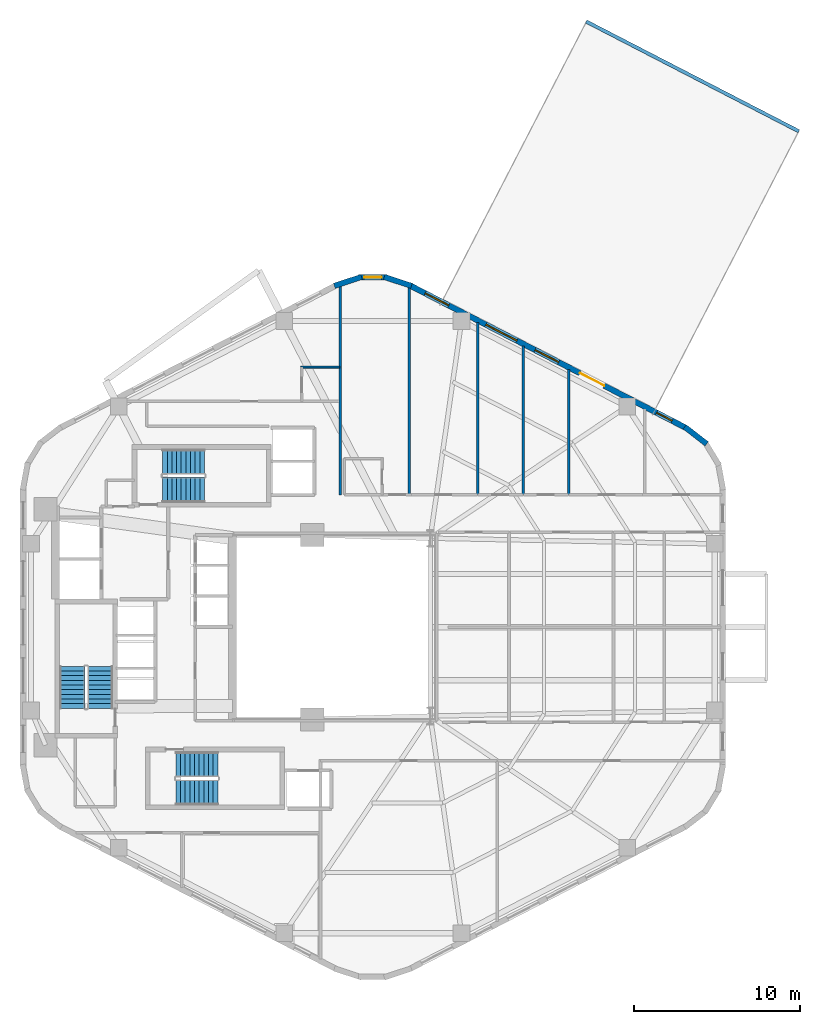
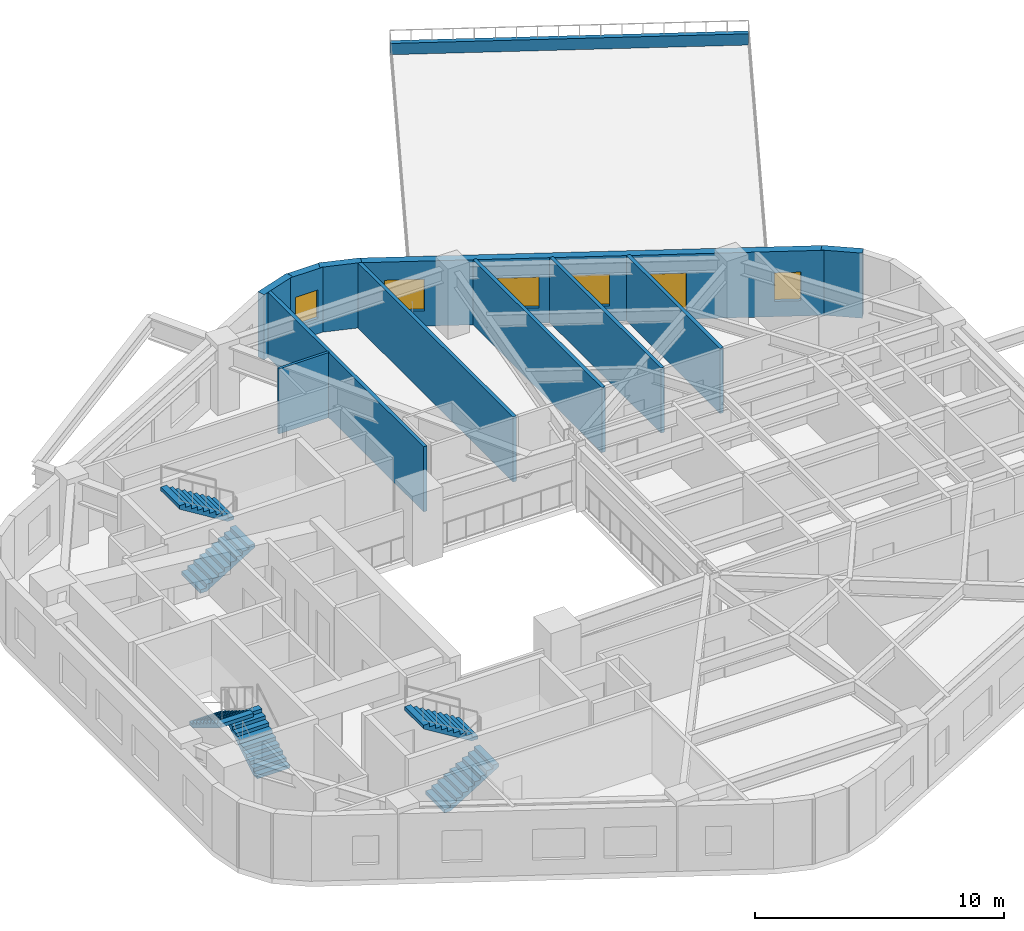
# One storey, part 6 of 8: 12 walls, 6 stair flights, 5 windows, 1 door, 6 openings, 3 elements without a shape of their own.
"""IFC4 building model written with IfcOpenShell, lengths in metres."""

from ifc_helpers import new_model, si_unit, direction, frame, frame_2d, origin, place, context, subcontext, project, spatial, polyline, rectangle, outline, extrude, material, layer, layer_set, type_object, element, fill, aggregate, save


model = new_model("IFC4")

# Units and contexts
model_context = context("Model", 3, precision=1e-05, world=origin(), true_north=direction((0.0, 1.0)))
body_context = subcontext(model_context, "Body", "Model", "MODEL_VIEW")
ifc_project = project(units=[si_unit("LENGTHUNIT", "METRE"), si_unit("AREAUNIT", "SQUARE_METRE"), si_unit("VOLUMEUNIT", "CUBIC_METRE"), si_unit("PLANEANGLEUNIT", "RADIAN"), si_unit("MASSUNIT", "GRAM", prefix="KILO"), si_unit("THERMODYNAMICTEMPERATUREUNIT", "KELVIN"), si_unit("POWERUNIT", "WATT")], contexts=[model_context])

# Site, building, storey
site_placement = place(None, origin())
site = spatial("IfcSite", under=ifc_project, at=site_placement, CompositionType="ELEMENT")
building_placement = place(site_placement, origin())
building = spatial("IfcBuilding", under=site, at=building_placement, Name="Skarre Station Tower", CompositionType="ELEMENT")
storey_placement = place(building_placement, frame((0.0, 0.0, 122.25)))
storey = spatial("IfcBuildingStorey", under=building, at=storey_placement, Name="L32", CompositionType="ELEMENT", Elevation=122.25)

# Wall
ifc_material_1 = material(Name="Insulated Timber-Stud Gypsum Partition", Category="wood")
ifc_layer_1 = layer(ifc_material_1, 0.1201171875, Name="Insulated Timber-Stud Gypsum Partition")
ifc_layer_set_1 = layer_set([ifc_layer_1], Name="Insulated Timber-Stud Gypsum Partition")
wall_type_1 = type_object("IfcWallType", Name="Internal Suite Acoustic Partition 120", PredefinedType="PARTITIONING", material=ifc_layer_set_1)
wall_1_placement = place(storey_placement, frame((34.0, 39.639892578125, 0.0), z_axis=(0.0, 0.0, 1.0), x_axis=(-1.0, 0.0, 0.0)))
element("IfcWall", 1, at=wall_1_placement, inside=storey, type_object=wall_type_1, Name="L32 Interior Partition WL-PT-L32-NWW1-EW3", PredefinedType="PARTITIONING", context=body_context, shape_type="SweptSolid", body=[
    extrude(rectangle(XDim=2.340087890625, YDim=0.1201171875, at=frame_2d((1.169921875, 0.0))), origin(), (0.0, 0.0, 1.0), 3.18994140625),
])

# Wall, openings, windows, door
ifc_material_2 = material(Name="Precast concrete C45/55", Category="concrete")
ifc_layer_2 = layer(ifc_material_2, 0.340087890625, Name="Precast concrete C45/55")
ifc_layer_set_2 = layer_set([ifc_layer_2], Name="Precast concrete C45/55")
wall_type_2 = type_object("IfcWallType", Name="Nordic Honed Precast Facet Wall 340", PredefinedType="STANDARD", material=ifc_layer_set_2)
wall_2_placement = place(storey_placement, frame((38.23095703125, 44.55810546875, 0.0), z_axis=(0.0, 0.0, 1.0), x_axis=(0.888613612362, -0.458656568606, 0.0)))
wall_2 = element("IfcWall", 2, at=wall_2_placement, inside=storey, type_object=wall_type_2, Name="L32 Facet 0 Nordic Precast Masonry Wall", PredefinedType="STANDARD", context=body_context, shape_type="SweptSolid", body=[
    extrude(rectangle(XDim=18.680908203125, YDim=0.340087890625, at=frame_2d((9.34033203125, 0.0))), origin(), (0.0, 0.0, 1.0), 3.18994140625),
])
opening_1_placement = place(wall_2_placement, frame((11.5, 0.0, 0.0)))
opening_1 = element("IfcOpeningElement", 3, at=opening_1_placement, cuts=wall_2, Name="Opening DR-SGD165", PredefinedType="OPENING", context=body_context, shape_type="SweptSolid", body=[
    extrude(rectangle(XDim=1.64990234375, YDim=2.25, at=frame_2d((0.824951171875, 1.125))), frame((0.0, 0.179931640625, 0.0), z_axis=(0.0, -1.0, 0.0), x_axis=(1.0, 0.0, 0.0)), (0.0, 0.0, 1.0), 0.360107421875),
])
opening_2_placement = place(wall_2_placement, frame((1.02294921875, 0.0, 0.75)))
opening_2 = element("IfcOpeningElement", 4, at=opening_2_placement, cuts=wall_2, Name="Opening WN-Z2A", PredefinedType="OPENING", context=body_context, shape_type="SweptSolid", body=[
    extrude(rectangle(XDim=1.60009765625, YDim=1.550048828125, at=frame_2d((0.800048828125, 0.77490234375))), frame((0.0, 0.179931640625, 0.0), z_axis=(0.0, -1.0, 0.0), x_axis=(1.0, 0.0, 0.0)), (0.0, 0.0, 1.0), 0.360107421875),
])
opening_3_placement = place(wall_2_placement, frame((5.135009765625, 0.0, 0.75)))
opening_3 = element("IfcOpeningElement", 5, at=opening_3_placement, cuts=wall_2, Name="Opening WN-Z2B", PredefinedType="OPENING", context=body_context, shape_type="SweptSolid", body=[
    extrude(rectangle(XDim=2.10009765625, YDim=1.5, at=frame_2d((1.050048828125, 0.75))), frame((0.0, 0.179931640625, 0.0), z_axis=(0.0, -1.0, 0.0), x_axis=(1.0, 0.0, 0.0)), (0.0, 0.0, 1.0), 0.360107421875),
])
opening_4_placement = place(wall_2_placement, frame((8.468994140625, 0.0, 0.75)))
opening_4 = element("IfcOpeningElement", 6, at=opening_4_placement, cuts=wall_2, Name="Opening WN-Z2A", PredefinedType="OPENING", context=body_context, shape_type="SweptSolid", body=[
    extrude(rectangle(XDim=1.60009765625, YDim=1.550048828125, at=frame_2d((0.800048828125, 0.77490234375))), frame((0.0, 0.179931640625, 0.0), z_axis=(0.0, -1.0, 0.0), x_axis=(1.0, 0.0, 0.0)), (0.0, 0.0, 1.0), 0.360107421875),
])
opening_5_placement = place(wall_2_placement, frame((16.697021484375, 0.0, 0.75)))
opening_5 = element("IfcOpeningElement", 7, at=opening_5_placement, cuts=wall_2, Name="Opening WN-SLT", PredefinedType="OPENING", context=body_context, shape_type="SweptSolid", body=[
    extrude(rectangle(XDim=1.050048828125, YDim=1.39990234375, at=frame_2d((0.52490234375, 0.699951171875))), frame((0.0, 0.179931640625, 0.0), z_axis=(0.0, -1.0, 0.0), x_axis=(1.0, 0.0, 0.0)), (0.0, 0.0, 1.0), 0.360107421875),
])
ifc_material_3 = material(Name="Low-Iron Triple Glazing with Bronze Anodized Frame", Category="glass")
window_type_1 = type_object("IfcWindowType", Name="Nordic Corner Slot Window 1050x1400", PartitioningType="SINGLE_PANEL", PredefinedType="WINDOW", material=ifc_material_3)
window_1_placement = place(opening_5_placement, origin())
window_1 = element("IfcWindow", 8, at=window_1_placement, inside=storey, type_object=window_type_1, Name="L32 Facade Window WL-FAC-L32-F0-4", OverallHeight=1.39990234375, OverallWidth=1.050048828125, PartitioningType="SINGLE_PANEL", PredefinedType="WINDOW", context=body_context, shape_type="SweptSolid", body=[
    extrude(rectangle(XDim=1.050048828125, YDim=1.39990234375, at=frame_2d((0.52490234375, 0.699951171875))), frame((0.0, 0.030029296875, 0.0), z_axis=(0.0, -1.0, 0.0), x_axis=(1.0, 0.0, 0.0)), (0.0, 0.0, 1.0), 0.06005859375),
])
fill(opening_5, window_1)
window_type_2 = type_object("IfcWindowType", Name="Nordic Residential Tall Window 1600x1550", PartitioningType="SINGLE_PANEL", PredefinedType="WINDOW", material=ifc_material_3)
window_2_placement = place(opening_2_placement, origin())
window_2 = element("IfcWindow", 9, at=window_2_placement, inside=storey, type_object=window_type_2, Name="L32 Facade Window WL-FAC-L32-F0-1", OverallHeight=1.550048828125, OverallWidth=1.60009765625, PartitioningType="SINGLE_PANEL", PredefinedType="WINDOW", context=body_context, shape_type="SweptSolid", body=[
    extrude(rectangle(XDim=1.60009765625, YDim=1.550048828125, at=frame_2d((0.800048828125, 0.77490234375))), frame((0.0, 0.030029296875, 0.0), z_axis=(0.0, -1.0, 0.0), x_axis=(1.0, 0.0, 0.0)), (0.0, 0.0, 1.0), 0.06005859375),
])
fill(opening_2, window_2)
window_3_placement = place(opening_4_placement, origin())
window_3 = element("IfcWindow", 10, at=window_3_placement, inside=storey, type_object=window_type_2, Name="L32 Facade Window WL-FAC-L32-F0-3", OverallHeight=1.550048828125, OverallWidth=1.60009765625, PartitioningType="SINGLE_PANEL", PredefinedType="WINDOW", context=body_context, shape_type="SweptSolid", body=[
    extrude(rectangle(XDim=1.60009765625, YDim=1.550048828125, at=frame_2d((0.800048828125, 0.77490234375))), frame((0.0, 0.030029296875, 0.0), z_axis=(0.0, -1.0, 0.0), x_axis=(1.0, 0.0, 0.0)), (0.0, 0.0, 1.0), 0.06005859375),
])
fill(opening_4, window_3)
window_type_3 = type_object("IfcWindowType", Name="Nordic Residential Twin Window 2100x1500", PartitioningType="SINGLE_PANEL", PredefinedType="WINDOW", material=ifc_material_3)
window_4_placement = place(opening_3_placement, origin())
window_4 = element("IfcWindow", 11, at=window_4_placement, inside=storey, type_object=window_type_3, Name="L32 Facade Window WL-FAC-L32-F0-2", OverallHeight=1.5, OverallWidth=2.10009765625, PartitioningType="SINGLE_PANEL", PredefinedType="WINDOW", context=body_context, shape_type="SweptSolid", body=[
    extrude(rectangle(XDim=2.10009765625, YDim=1.5, at=frame_2d((1.050048828125, 0.75))), frame((0.0, 0.030029296875, 0.0), z_axis=(0.0, -1.0, 0.0), x_axis=(1.0, 0.0, 0.0)), (0.0, 0.0, 1.0), 0.06005859375),
])
fill(opening_3, window_4)
ifc_material_4 = material(Name="Thermally Broken Aluminium & Triple Glazing", Category="aluminium")
door_type = type_object("IfcDoorType", Name="Sky-Garden Double Glazed Terrace Door 1650x2250", OperationType="DOUBLE_DOOR_SINGLE_SWING", PredefinedType="DOOR", material=ifc_material_4)
door_placement = place(opening_1_placement, origin())
door = element("IfcDoor", 12, at=door_placement, inside=storey, type_object=door_type, Name="L32 SB-2 Roof Terrace Access Door", OperationType="SINGLE_SWING_LEFT", OverallHeight=2.25, OverallWidth=1.64990234375, PredefinedType="DOOR", context=body_context, shape_type="SweptSolid", body=[
    extrude(rectangle(XDim=1.64990234375, YDim=2.25, at=frame_2d((0.824951171875, 1.125))), frame((0.0, 0.02490234375, 0.0), z_axis=(0.0, -1.0, 0.0), x_axis=(1.0, 0.0, 0.0)), (0.0, 0.0, 1.0), 0.050048828125),
])
fill(opening_1, door)

# Walls
ifc_layer_3 = layer(ifc_material_2, 0.330078125, Name="Precast concrete C45/55")
ifc_layer_set_3 = layer_set([ifc_layer_3], Name="Precast concrete C45/55")
wall_type_3 = type_object("IfcWallType", Name="Nordic Rounded Corner Precast Wall 330", PredefinedType="STANDARD", material=ifc_layer_set_3)
wall_3_placement = place(storey_placement, frame((54.757080078125, 36.050048828125, 0.0), z_axis=(0.0, 0.0, 1.0), x_axis=(0.790621329885, -0.612305408053, 0.0)))
element("IfcWall", 13, at=wall_3_placement, inside=storey, type_object=wall_type_3, Name="L32 Rounded Corner Precast Wall F0-1", PredefinedType="STANDARD", context=body_context, shape_type="SweptSolid", body=[
    extrude(rectangle(XDim=1.67578125, YDim=0.330078125, at=frame_2d((0.837890625, 0.0))), origin(), (0.0, 0.0, 1.0), 3.18994140625),
])
wall_4_placement = place(storey_placement, frame((33.680908203125, 44.531982421875, 0.0), z_axis=(0.0, 0.0, 1.0), x_axis=(0.949937416267, 0.312440242569, 0.0)))
element("IfcWall", 14, at=wall_4_placement, inside=storey, type_object=wall_type_3, Name="L32 Rounded Corner Precast Wall F1-1", PredefinedType="STANDARD", context=body_context, shape_type="SweptSolid", body=[
    extrude(rectangle(XDim=1.72216796875, YDim=0.330078125, at=frame_2d((0.861083984375, 0.0))), origin(), (0.0, 0.0, 1.0), 3.18994140625),
])

# Wall, opening, window
wall_5_placement = place(storey_placement, frame((35.138916015625, 45.041015625, 0.0), z_axis=(0.0, 0.0, 1.0), x_axis=(1.0, 0.0, 0.0)))
wall_5 = element("IfcWall", 15, at=wall_5_placement, inside=storey, type_object=wall_type_3, Name="L32 Rounded Corner Precast Wall F1-2", PredefinedType="STANDARD", context=body_context, shape_type="SweptSolid", body=[
    extrude(rectangle(XDim=1.72216796875, YDim=0.330078125, at=frame_2d((0.861083984375, 0.0))), origin(), (0.0, 0.0, 1.0), 3.18994140625),
])
opening_6_placement = place(wall_5_placement, frame((0.3359375, 0.0, 0.75)))
opening_6 = element("IfcOpeningElement", 16, at=opening_6_placement, cuts=wall_5, Name="Opening WN-SLT", PredefinedType="OPENING", context=body_context, shape_type="SweptSolid", body=[
    extrude(rectangle(XDim=1.050048828125, YDim=1.39990234375, at=frame_2d((0.52490234375, 0.699951171875))), frame((0.0, 0.175048828125, 0.0), z_axis=(0.0, -1.0, 0.0), x_axis=(1.0, 0.0, 0.0)), (0.0, 0.0, 1.0), 0.35009765625),
])
window_5_placement = place(opening_6_placement, origin())
window_5 = element("IfcWindow", 17, at=window_5_placement, inside=storey, type_object=window_type_1, Name="L32 Apex Corner Slot Window F1-2", OverallHeight=1.39990234375, OverallWidth=1.050048828125, PartitioningType="SINGLE_PANEL", PredefinedType="WINDOW", context=body_context, shape_type="SweptSolid", body=[
    extrude(rectangle(XDim=1.050048828125, YDim=1.39990234375, at=frame_2d((0.52490234375, 0.699951171875))), frame((0.0, 0.030029296875, 0.0), z_axis=(0.0, -1.0, 0.0), x_axis=(1.0, 0.0, 0.0)), (0.0, 0.0, 1.0), 0.06005859375),
])
fill(opening_6, window_5)

# Walls
wall_6_placement = place(storey_placement, frame((36.68310546875, 45.070068359375, 0.0), z_axis=(0.0, 0.0, 1.0), x_axis=(0.949937416267, -0.312440242569, 0.0)))
element("IfcWall", 18, at=wall_6_placement, inside=storey, type_object=wall_type_3, Name="L32 Rounded Corner Precast Wall F1-3", PredefinedType="STANDARD", context=body_context, shape_type="SweptSolid", body=[
    extrude(rectangle(XDim=1.72216796875, YDim=0.330078125, at=frame_2d((0.861083984375, 0.0))), origin(), (0.0, 0.0, 1.0), 3.18994140625),
])
ifc_material_5 = material(Name="Precast concrete C40/50", Category="concrete")
ifc_layer_4 = layer(ifc_material_5, 0.2099609375, Name="Precast concrete C40/50")
ifc_layer_set_4 = layer_set([ifc_layer_4], Name="Precast concrete C40/50")
wall_type_4 = type_object("IfcWallType", Name="Sky-Bar Terrace Parapet Wall 210", PredefinedType="PARAPET", material=ifc_layer_set_4)
wall_7_placement = place(storey_placement, frame((48.833984375, 60.43310546875, 0.0), z_axis=(0.0, 0.0, 1.0), x_axis=(0.888595468438, -0.458691719427, 0.0)))
element("IfcWall", 19, at=wall_7_placement, inside=storey, type_object=wall_type_4, Name="L32 SB-2 Prow Parapet Upstand", PredefinedType="PARAPET", context=body_context, shape_type="SweptSolid", body=[
    extrude(rectangle(XDim=14.400146484375, YDim=0.2099609375, at=frame_2d((7.2001953125, 0.0))), origin(), (0.0, 0.0, 1.0), 0.550048828125),
])
ifc_material_6 = material(Name="Acoustic Steel-Stud Gypsum Partition", Category="steel")
ifc_layer_5 = layer(ifc_material_6, 0.1650390625, Name="Acoustic Steel-Stud Gypsum Partition")
ifc_layer_set_5 = layer_set([ifc_layer_5], Name="Acoustic Steel-Stud Gypsum Partition")
wall_type_5 = type_object("IfcWallType", Name="Suite Demising Acoustic Partition 165", PredefinedType="PARTITIONING", material=ifc_layer_set_5)
wall_8_placement = place(storey_placement, frame((34.0400390625, 31.9599609375, 0.0), z_axis=(0.0, 0.0, 1.0), x_axis=(0.0, 1.0, 0.0)))
element("IfcWall", 20, at=wall_8_placement, inside=storey, type_object=wall_type_5, Name="L32 Interior Partition WL-PT-L32-NW-WBND", PredefinedType="PARTITIONING", context=body_context, shape_type="SweptSolid", body=[
    extrude(rectangle(XDim=12.55810546875, YDim=0.1650390625, at=frame_2d((6.279052734375, 0.0))), origin(), (0.0, 0.0, 1.0), 3.18994140625),
])
wall_9_placement = place(storey_placement, frame((38.19091796875, 31.969970703125, 0.0), z_axis=(0.0, 0.0, 1.0), x_axis=(0.0, 1.0, 0.0)))
element("IfcWall", 21, at=wall_9_placement, inside=storey, type_object=wall_type_5, Name="L32 Interior Partition WL-PT-L32-NW-P1", PredefinedType="PARTITIONING", context=body_context, shape_type="SweptSolid", body=[
    extrude(rectangle(XDim=12.47314453125, YDim=0.1650390625, at=frame_2d((6.236572265625, 0.0))), origin(), (0.0, 0.0, 1.0), 3.18994140625),
])
wall_10_placement = place(storey_placement, frame((42.302001953125, 31.969970703125, 0.0), z_axis=(0.0, 0.0, 1.0), x_axis=(0.0, 1.0, 0.0)))
element("IfcWall", 22, at=wall_10_placement, inside=storey, type_object=wall_type_5, Name="L32 Interior Partition WL-PT-L32-NW-P2", PredefinedType="PARTITIONING", context=body_context, shape_type="SweptSolid", body=[
    extrude(rectangle(XDim=10.35205078125, YDim=0.1650390625, at=frame_2d((5.176025390625, 0.0))), origin(), (0.0, 0.0, 1.0), 3.18994140625),
])
wall_11_placement = place(storey_placement, frame((45.0419921875, 31.969970703125, 0.0), z_axis=(0.0, 0.0, 1.0), x_axis=(0.0, 1.0, 0.0)))
element("IfcWall", 23, at=wall_11_placement, inside=storey, type_object=wall_type_5, Name="L32 Interior Partition WL-PT-L32-NW-P3", PredefinedType="PARTITIONING", context=body_context, shape_type="SweptSolid", body=[
    extrude(rectangle(XDim=8.93701171875, YDim=0.1650390625, at=frame_2d((4.468505859375, 0.0))), origin(), (0.0, 0.0, 1.0), 3.18994140625),
])
wall_12_placement = place(storey_placement, frame((47.782958984375, 31.969970703125, 0.0), z_axis=(0.0, 0.0, 1.0), x_axis=(0.0, 1.0, 0.0)))
element("IfcWall", 24, at=wall_12_placement, inside=storey, type_object=wall_type_5, Name="L32 Interior Partition WL-PT-L32-NW-P4", PredefinedType="PARTITIONING", context=body_context, shape_type="SweptSolid", body=[
    extrude(rectangle(XDim=7.52294921875, YDim=0.1650390625, at=frame_2d((3.761474609375, 0.0))), origin(), (0.0, 0.0, 1.0), 3.18994140625),
])

# Stair, stair flights
ifc_material_7 = material(Name="Concrete C40/50", Category="concrete")
stair_type_1 = type_object("IfcStairType", Name="Reinforced Concrete Exit Stair ST-1", PredefinedType="HALF_TURN_STAIR", material=ifc_material_7)
stair_1_placement = place(storey_placement, origin())
stair_1 = element("IfcStair", 25, at=stair_1_placement, inside=storey, type_object=stair_type_1, Name="L32 Core Exit Stair ST-1", PredefinedType="HALF_TURN_STAIR")
stair_flight_type_1 = type_object("IfcStairFlightType", Name="Reinforced Concrete Stair Flight ST-1", PredefinedType="STRAIGHT", material=ifc_material_7)
stair_flight_1_placement = place(storey_placement, frame((19.590087890625, 19.1201171875, 0.0), z_axis=(0.0, 0.0, 1.0), x_axis=(0.0, 1.0, 0.0)))
stair_flight_1 = element("IfcStairFlight", 26, at=stair_flight_1_placement, type_object=stair_flight_type_1, Name="ST-1 flight 1", NumberOfRisers=10, NumberOfTreads=9, PredefinedType="STRAIGHT", RiserHeight=0.1725, TreadLength=0.28, context=body_context, shape_type="SweptSolid", body=[
    extrude(outline(polyline([(0.0, 0.0), (0.0, 0.172607421875), (0.280029296875, 0.172607421875), (0.280029296875, 0.344970703125), (0.56005859375, 0.344970703125), (0.56005859375, 0.517578125), (0.840087890625, 0.517578125), (0.840087890625, 0.68994140625), (1.1201171875, 0.68994140625), (1.1201171875, 0.862548828125), (1.39990234375, 0.862548828125), (1.39990234375, 1.034912109375), (1.679931640625, 1.034912109375), (1.679931640625, 1.20751953125), (1.9599609375, 1.20751953125), (1.9599609375, 1.3798828125), (2.239990234375, 1.3798828125), (2.239990234375, 1.552490234375), (2.52001953125, 1.552490234375), (2.52001953125, 1.72509765625), (2.52001953125, 1.37646484375), (0.285888671875, 0.0), (0.0, 0.0)])), frame((0.0, 0.760009765625, 0.0), z_axis=(0.0, -1.0, 0.0), x_axis=(1.0, 0.0, 0.0)), (0.0, 0.0, 1.0), 1.52001953125),
])
stair_flight_2_placement = place(storey_placement, frame((17.909912109375, 21.639892578125, 1.72509765625), z_axis=(0.0, 0.0, 1.0), x_axis=(0.0, -1.0, 0.0)))
stair_flight_2 = element("IfcStairFlight", 27, at=stair_flight_2_placement, type_object=stair_flight_type_1, Name="ST-1 flight 2", NumberOfRisers=10, NumberOfTreads=9, PredefinedType="STRAIGHT", RiserHeight=0.1725, TreadLength=0.28, context=body_context, shape_type="SweptSolid", body=[
    extrude(outline(polyline([(0.0, 0.0), (0.0, 0.172607421875), (0.280029296875, 0.172607421875), (0.280029296875, 0.344970703125), (0.56005859375, 0.344970703125), (0.56005859375, 0.517578125), (0.840087890625, 0.517578125), (0.840087890625, 0.68994140625), (1.1201171875, 0.68994140625), (1.1201171875, 0.862548828125), (1.39990234375, 0.862548828125), (1.39990234375, 1.034912109375), (1.679931640625, 1.034912109375), (1.679931640625, 1.20751953125), (1.9599609375, 1.20751953125), (1.9599609375, 1.3798828125), (2.239990234375, 1.3798828125), (2.239990234375, 1.552490234375), (2.52001953125, 1.552490234375), (2.52001953125, 1.72509765625), (2.52001953125, 1.37646484375), (0.285888671875, 0.0), (0.0, 0.0)])), frame((0.0, 0.760009765625, 0.0), z_axis=(0.0, -1.0, 0.0), x_axis=(1.0, 0.0, 0.0)), (0.0, 0.0, 1.0), 1.52001953125),
])
aggregate(stair_1, [stair_flight_1, stair_flight_2])

stair_type_2 = type_object("IfcStairType", Name="Reinforced Concrete Exit Stair ST-2", PredefinedType="HALF_TURN_STAIR", material=ifc_material_7)
stair_2_placement = place(storey_placement, origin())
stair_2 = element("IfcStair", 28, at=stair_2_placement, inside=storey, type_object=stair_type_2, Name="L32 Core Exit Stair ST-2", PredefinedType="HALF_TURN_STAIR")
stair_flight_type_2 = type_object("IfcStairFlightType", Name="Reinforced Concrete Stair Flight ST-2", PredefinedType="STRAIGHT", material=ifc_material_7)
stair_flight_3_placement = place(storey_placement, frame((24.14990234375, 14.06005859375, 0.0), z_axis=(0.0, 0.0, 1.0), x_axis=(1.0, 0.0, 0.0)))
stair_flight_3 = element("IfcStairFlight", 29, at=stair_flight_3_placement, type_object=stair_flight_type_2, Name="ST-2 flight 1", NumberOfRisers=10, NumberOfTreads=9, PredefinedType="STRAIGHT", RiserHeight=0.1725, TreadLength=0.28, context=body_context, shape_type="SweptSolid", body=[
    extrude(outline(polyline([(0.0, 0.0), (0.0, 0.172607421875), (0.280029296875, 0.172607421875), (0.280029296875, 0.344970703125), (0.56005859375, 0.344970703125), (0.56005859375, 0.517578125), (0.840087890625, 0.517578125), (0.840087890625, 0.68994140625), (1.1201171875, 0.68994140625), (1.1201171875, 0.862548828125), (1.39990234375, 0.862548828125), (1.39990234375, 1.034912109375), (1.679931640625, 1.034912109375), (1.679931640625, 1.20751953125), (1.9599609375, 1.20751953125), (1.9599609375, 1.3798828125), (2.239990234375, 1.3798828125), (2.239990234375, 1.552490234375), (2.52001953125, 1.552490234375), (2.52001953125, 1.72509765625), (2.52001953125, 1.37646484375), (0.285888671875, 0.0), (0.0, 0.0)])), frame((0.0, 0.760009765625, 0.0), z_axis=(0.0, -1.0, 0.0), x_axis=(1.0, 0.0, 0.0)), (0.0, 0.0, 1.0), 1.52001953125),
])
stair_flight_4_placement = place(storey_placement, frame((26.669921875, 15.739990234375, 1.72509765625), z_axis=(0.0, 0.0, 1.0), x_axis=(-1.0, 0.0, 0.0)))
stair_flight_4 = element("IfcStairFlight", 30, at=stair_flight_4_placement, type_object=stair_flight_type_2, Name="ST-2 flight 2", NumberOfRisers=10, NumberOfTreads=9, PredefinedType="STRAIGHT", RiserHeight=0.1725, TreadLength=0.28, context=body_context, shape_type="SweptSolid", body=[
    extrude(outline(polyline([(0.0, 0.0), (0.0, 0.172607421875), (0.280029296875, 0.172607421875), (0.280029296875, 0.344970703125), (0.56005859375, 0.344970703125), (0.56005859375, 0.517578125), (0.840087890625, 0.517578125), (0.840087890625, 0.68994140625), (1.1201171875, 0.68994140625), (1.1201171875, 0.862548828125), (1.39990234375, 0.862548828125), (1.39990234375, 1.034912109375), (1.679931640625, 1.034912109375), (1.679931640625, 1.20751953125), (1.9599609375, 1.20751953125), (1.9599609375, 1.3798828125), (2.239990234375, 1.3798828125), (2.239990234375, 1.552490234375), (2.52001953125, 1.552490234375), (2.52001953125, 1.72509765625), (2.52001953125, 1.37646484375), (0.285888671875, 0.0), (0.0, 0.0)])), frame((0.0, 0.760009765625, 0.0), z_axis=(0.0, -1.0, 0.0), x_axis=(1.0, 0.0, 0.0)), (0.0, 0.0, 1.0), 1.52001953125),
])
aggregate(stair_2, [stair_flight_3, stair_flight_4])

stair_type_3 = type_object("IfcStairType", Name="Reinforced Concrete Exit Stair ST-3", PredefinedType="HALF_TURN_STAIR", material=ifc_material_7)
stair_3_placement = place(storey_placement, origin())
stair_3 = element("IfcStair", 31, at=stair_3_placement, inside=storey, type_object=stair_type_3, Name="L32 Core Exit Stair ST-3", PredefinedType="HALF_TURN_STAIR")
stair_flight_type_3 = type_object("IfcStairFlightType", Name="Reinforced Concrete Stair Flight ST-3", PredefinedType="STRAIGHT", material=ifc_material_7)
stair_flight_5_placement = place(storey_placement, frame((23.35009765625, 32.260009765625, 0.0), z_axis=(0.0, 0.0, 1.0), x_axis=(1.0, 0.0, 0.0)))
stair_flight_5 = element("IfcStairFlight", 32, at=stair_flight_5_placement, type_object=stair_flight_type_3, Name="ST-3 flight 1", NumberOfRisers=10, NumberOfTreads=9, PredefinedType="STRAIGHT", RiserHeight=0.1725, TreadLength=0.28, context=body_context, shape_type="SweptSolid", body=[
    extrude(outline(polyline([(0.0, 0.0), (0.0, 0.172607421875), (0.280029296875, 0.172607421875), (0.280029296875, 0.344970703125), (0.56005859375, 0.344970703125), (0.56005859375, 0.517578125), (0.840087890625, 0.517578125), (0.840087890625, 0.68994140625), (1.1201171875, 0.68994140625), (1.1201171875, 0.862548828125), (1.39990234375, 0.862548828125), (1.39990234375, 1.034912109375), (1.679931640625, 1.034912109375), (1.679931640625, 1.20751953125), (1.9599609375, 1.20751953125), (1.9599609375, 1.3798828125), (2.239990234375, 1.3798828125), (2.239990234375, 1.552490234375), (2.52001953125, 1.552490234375), (2.52001953125, 1.72509765625), (2.52001953125, 1.37646484375), (0.285888671875, 0.0), (0.0, 0.0)])), frame((0.0, 0.760009765625, 0.0), z_axis=(0.0, -1.0, 0.0), x_axis=(1.0, 0.0, 0.0)), (0.0, 0.0, 1.0), 1.52001953125),
])
stair_flight_6_placement = place(storey_placement, frame((25.8701171875, 33.93994140625, 1.72509765625), z_axis=(0.0, 0.0, 1.0), x_axis=(-1.0, 0.0, 0.0)))
stair_flight_6 = element("IfcStairFlight", 33, at=stair_flight_6_placement, type_object=stair_flight_type_3, Name="ST-3 flight 2", NumberOfRisers=10, NumberOfTreads=9, PredefinedType="STRAIGHT", RiserHeight=0.1725, TreadLength=0.28, context=body_context, shape_type="SweptSolid", body=[
    extrude(outline(polyline([(0.0, 0.0), (0.0, 0.172607421875), (0.280029296875, 0.172607421875), (0.280029296875, 0.344970703125), (0.56005859375, 0.344970703125), (0.56005859375, 0.517578125), (0.840087890625, 0.517578125), (0.840087890625, 0.68994140625), (1.1201171875, 0.68994140625), (1.1201171875, 0.862548828125), (1.39990234375, 0.862548828125), (1.39990234375, 1.034912109375), (1.679931640625, 1.034912109375), (1.679931640625, 1.20751953125), (1.9599609375, 1.20751953125), (1.9599609375, 1.3798828125), (2.239990234375, 1.3798828125), (2.239990234375, 1.552490234375), (2.52001953125, 1.552490234375), (2.52001953125, 1.72509765625), (2.52001953125, 1.37646484375), (0.285888671875, 0.0), (0.0, 0.0)])), frame((0.0, 0.760009765625, 0.0), z_axis=(0.0, -1.0, 0.0), x_axis=(1.0, 0.0, 0.0)), (0.0, 0.0, 1.0), 1.52001953125),
])
aggregate(stair_3, [stair_flight_5, stair_flight_6])

save(model, "model.ifc")
